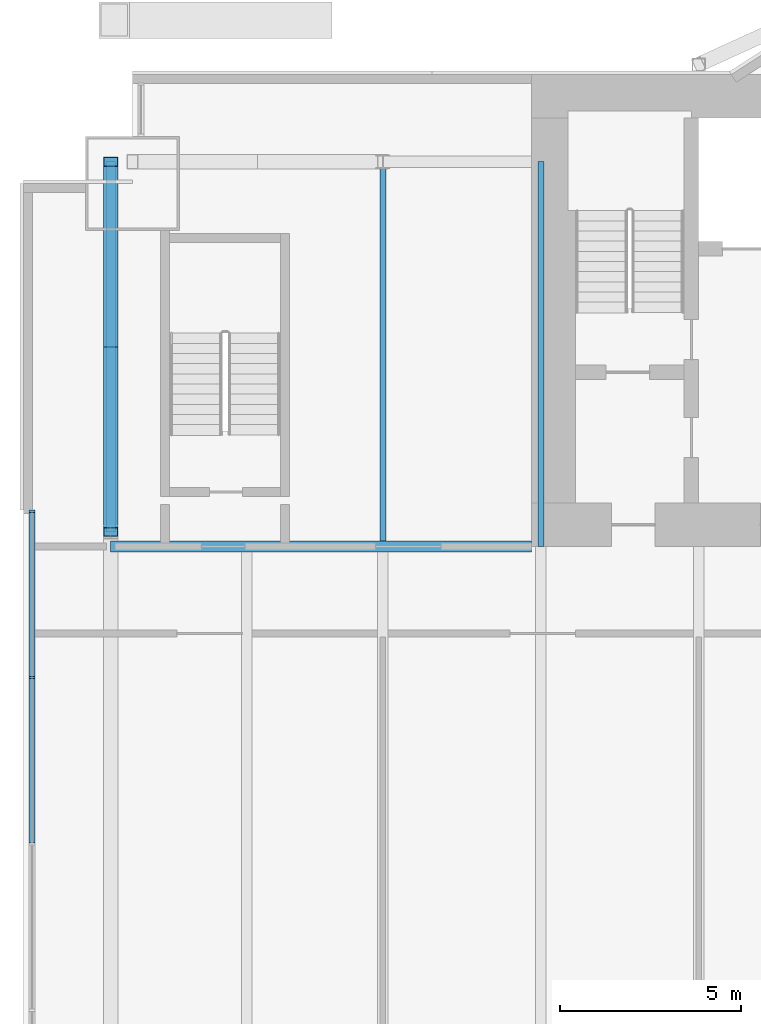
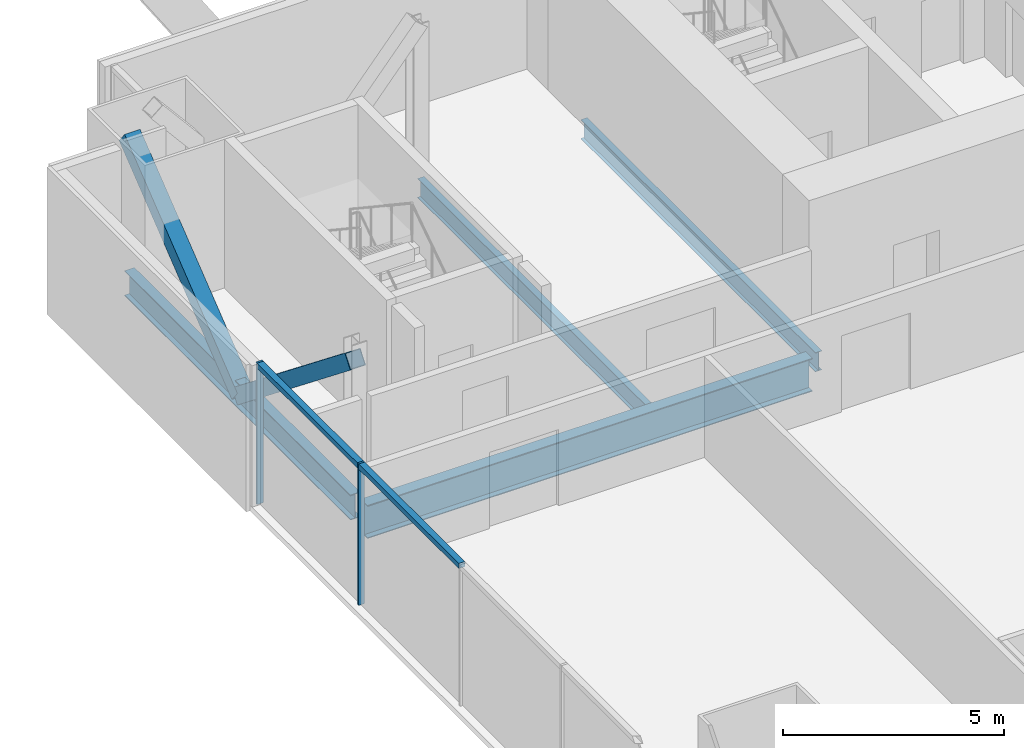
# One storey, part 7 of 21: 6 members, 4 beams, 1 element without a shape of its own.
"""IFC4 building model written with IfcOpenShell, lengths in metres."""

import ifcopenshell
import ifcopenshell.guid

model = None  # the IFC model being written
_history = None  # IfcOwnerHistory: only IFC2X3 demands one
_inside = {}  # id of a spatial element -> (the spatial element, [elements in it])
_under = {}  # id of a project, library or spatial element -> (it, [spatial elements below it])
_declared = {}  # id of a project -> (the project, [libraries it declares])
_typed = {}  # id of a type object -> (the type object, [elements of that type])
_made_of = {}  # id of a material, layer set ... -> (it, [elements and type objects made of it])


def new_model(schema):
    """Start an empty IFC model of exactly this schema.

    Asked for "IFC4X3", IfcOpenShell would pick the latest addendum, in which some entities
    have other attributes; the version numbers below select the first issue.
    IFC2X3 requires an IfcOwnerHistory on every rooted entity: one is made here for all.
    """
    global model, _history
    if schema == "IFC4X3":
        model = ifcopenshell.file(schema_version=(4, 3, 0, 0))
    else:
        model = ifcopenshell.file(schema=schema)
    _inside.clear()
    _under.clear()
    _declared.clear()
    _typed.clear()
    _made_of.clear()
    _history = None
    if model.schema == "IFC2X3":
        org = make("IfcOrganization", Name="unknown")
        user = make(
            "IfcPersonAndOrganization",
            ThePerson=make("IfcPerson", FamilyName="unknown"),
            TheOrganization=org,
        )
        app = make(
            "IfcApplication",
            ApplicationDeveloper=org,
            Version="unknown",
            ApplicationFullName="unknown",
            ApplicationIdentifier="unknown",
        )
        _history = make(
            "IfcOwnerHistory",
            OwningUser=user,
            OwningApplication=app,
            ChangeAction="ADDED",
            CreationDate=0,
        )
    return model


def make(cls, **values):
    """One entity of the class cls with the attributes given. An attribute that is None is left unset."""
    return model.create_entity(
        cls, **{name: value for name, value in values.items() if value is not None}
    )


def rooted(cls, **values):
    """An entity with a GlobalId (a new one), such as an element, a storey or a relation."""
    return make(cls, GlobalId=ifcopenshell.guid.new(), OwnerHistory=_history, **values)


def si_unit(unit_type, name, prefix=None):
    """IfcSIUnit, for example si_unit("LENGTHUNIT", "METRE", prefix="MILLI")."""
    return make("IfcSIUnit", UnitType=unit_type, Prefix=prefix, Name=name)


def assignment(units):
    """IfcUnitAssignment: the units of a project."""
    return None if units is None else make("IfcUnitAssignment", Units=units)


def point(xyz):
    """IfcCartesianPoint."""
    return None if xyz is None else make("IfcCartesianPoint", Coordinates=xyz)


def direction(xyz):
    """IfcDirection."""
    return None if xyz is None else make("IfcDirection", DirectionRatios=xyz)


def frame(location, z_axis=None, x_axis=None):
    """IfcAxis2Placement3D, a coordinate frame: its origin and axes. An axis left out is left unset."""
    return make(
        "IfcAxis2Placement3D",
        Location=point(location),
        Axis=direction(z_axis),
        RefDirection=direction(x_axis),
    )


def frame_2d(location, x_axis=None):
    """IfcAxis2Placement2D, a coordinate frame in the plane: its origin and x axis."""
    return make(
        "IfcAxis2Placement2D", Location=point(location), RefDirection=direction(x_axis)
    )


def origin():
    """The frame at (0, 0, 0) with its axes left unset."""
    return frame((0.0, 0.0, 0.0))


def origin_2d():
    """The frame at (0, 0) in the plane with its x axis left unset."""
    return frame_2d((0.0, 0.0))


def place(relative_to, where):
    """IfcLocalPlacement: puts the frame where relative to a parent placement (None: the world)."""
    return make(
        "IfcLocalPlacement", PlacementRelTo=relative_to, RelativePlacement=where
    )


def context(
    kind, dimensions, precision=None, world=None, true_north=None, identifier=None
):
    """IfcGeometricRepresentationContext, for example the 3D "Model" context."""
    return make(
        "IfcGeometricRepresentationContext",
        ContextIdentifier=identifier,
        ContextType=kind,
        CoordinateSpaceDimension=dimensions,
        Precision=precision,
        WorldCoordinateSystem=world,
        TrueNorth=true_north,
    )


def subcontext(parent, identifier, kind, view, scale=None):
    """IfcGeometricRepresentationSubContext, for example "Body" below "Model"."""
    return make(
        "IfcGeometricRepresentationSubContext",
        ContextIdentifier=identifier,
        ContextType=kind,
        ParentContext=parent,
        TargetScale=scale,
        TargetView=view,
    )


def project(units=None, contexts=None):
    """IfcProject with its units and contexts."""
    return rooted(
        "IfcProject",
        Name="project",
        RepresentationContexts=contexts,
        UnitsInContext=assignment(units),
    )


def spatial(cls, under=None, at=None, **own):
    """A site, building, storey or space (cls), placed at a placement, below another one or the project."""
    s = rooted(cls, ObjectPlacement=at, **own)
    if under is not None:
        _under.setdefault(under.id(), (under, []))[1].append(s)
    return s


def profile(cls, at=None, kind="AREA", **sizes):
    """A parametric profile (cls). Its sizes go by their IFC names, for example OverallWidth=200.0."""
    return make(cls, ProfileType=kind, Position=at, **sizes)


def rectangle(**sizes):
    """IfcRectangleProfileDef."""
    return profile("IfcRectangleProfileDef", **sizes)


def hollow_rectangle(**sizes):
    """IfcRectangleHollowProfileDef."""
    return profile("IfcRectangleHollowProfileDef", **sizes)


def i_section(**sizes):
    """IfcIShapeProfileDef."""
    return profile("IfcIShapeProfileDef", **sizes)


def extrude(swept, where, along, depth):
    """IfcExtrudedAreaSolid: the profile swept, set in the frame where, extruded along a direction by depth."""
    return make(
        "IfcExtrudedAreaSolid",
        SweptArea=swept,
        Position=where,
        ExtrudedDirection=direction(along),
        Depth=depth,
    )


def shape(context_of_items, identifier, shape_type, items):
    """IfcShapeRepresentation: the items that make up one representation, for example the "Body"."""
    return make(
        "IfcShapeRepresentation",
        ContextOfItems=context_of_items,
        RepresentationIdentifier=identifier,
        RepresentationType=shape_type,
        Items=items,
    )


def material(Name=None, Category=None):
    """IfcMaterial."""
    return make("IfcMaterial", Name=Name, Category=Category)


def material_profile(
    of_material, cross_section, Name=None, Category=None, Priority=None
):
    """IfcMaterialProfile: a cross section and its material."""
    return make(
        "IfcMaterialProfile",
        Name=Name,
        Material=of_material,
        Profile=cross_section,
        Priority=Priority,
        Category=Category,
    )


def profile_set(profiles, Name=None, composite=None):
    """IfcMaterialProfileSet."""
    return make(
        "IfcMaterialProfileSet",
        Name=Name,
        MaterialProfiles=profiles,
        CompositeProfile=composite,
    )


def made_of(thing, what):
    """Note that an element or type object is made of a material, layer set ...; save() writes the relation."""
    if what is not None:
        _made_of.setdefault(what.id(), (what, []))[1].append(thing)
    return thing


def type_object(cls, material=None, **own):
    """A type object (cls), such as IfcWallType, which elements share."""
    return made_of(rooted(cls, **own), material)


def element(
    cls,
    number,
    at=None,
    inside=None,
    cuts=None,
    type_object=None,
    material=None,
    context=None,
    identifier="Body",
    shape_type=None,
    held_by="IfcProductDefinitionShape",
    body=None,
    shapes=None,
    **own,
):
    """One element of the class cls, such as IfcWall. Its Tag is "e" and its number.

    at: its placement. inside: the storey or other place that contains it. cuts: it is an
    opening in that element (IfcRelVoidsElement). A single representation is given by context,
    identifier, shape_type and body (its items); several are given by shapes. held_by: the class
    of the entity that holds the representations. save() writes the other relations.
    """
    e = rooted(cls, Tag="e%d" % number, ObjectPlacement=at, **own)
    if body is not None:
        shapes = [shape(context, identifier, shape_type, body)]
    if shapes is not None:
        e.Representation = make(held_by, Representations=shapes)
    if inside is not None:
        _inside.setdefault(inside.id(), (inside, []))[1].append(e)
    if cuts is not None:
        rooted(
            "IfcRelVoidsElement", RelatingBuildingElement=cuts, RelatedOpeningElement=e
        )
    if type_object is not None:
        _typed.setdefault(type_object.id(), (type_object, []))[1].append(e)
    return made_of(e, material)


def aggregate(whole, parts):
    """IfcRelAggregates: a whole, such as a stair, and the parts it consists of."""
    return rooted("IfcRelAggregates", RelatingObject=whole, RelatedObjects=parts)


def save(model, path):
    """Write the relations noted so far, then the file.

    IfcRelAggregates (storeys below a building ...), IfcRelContainedInSpatialStructure (elements
    in a storey), IfcRelDefinesByType, IfcRelAssociatesMaterial and IfcRelDeclares: one each for
    every whole, place, type object, material and project.
    """
    for whole, parts in _under.values():
        aggregate(whole, parts)
    for where, things in _inside.values():
        rooted(
            "IfcRelContainedInSpatialStructure",
            RelatedElements=things,
            RelatingStructure=where,
        )
    for kind, things in _typed.values():
        rooted("IfcRelDefinesByType", RelatedObjects=things, RelatingType=kind)
    for what, things in _made_of.values():
        rooted("IfcRelAssociatesMaterial", RelatedObjects=things, RelatingMaterial=what)
    for by, libraries in _declared.values():
        rooted("IfcRelDeclares", RelatingContext=by, RelatedDefinitions=libraries)
    model.write(path)


model = new_model("IFC4")

# Units and contexts
model_context = context("Model", 3, precision=1e-05, world=origin(), true_north=direction((0.0, 1.0)))
body_context = subcontext(model_context, "Body", "Model", "MODEL_VIEW")
ifc_project = project(units=[si_unit("LENGTHUNIT", "METRE"), si_unit("AREAUNIT", "SQUARE_METRE"), si_unit("VOLUMEUNIT", "CUBIC_METRE"), si_unit("PLANEANGLEUNIT", "RADIAN"), si_unit("MASSUNIT", "GRAM", prefix="KILO")], contexts=[model_context])

# Site, building, storey
site_placement = place(None, origin())
site = spatial("IfcSite", under=ifc_project, at=site_placement, CompositionType="ELEMENT")
building_placement = place(site_placement, origin())
building = spatial("IfcBuilding", under=site, at=building_placement, Name="Bicima Exchange Tower", CompositionType="ELEMENT")
storey_placement = place(building_placement, frame((0.0, 0.0, 181.39990234375)))
storey = spatial("IfcBuildingStorey", under=building, at=storey_placement, Name="L40", CompositionType="ELEMENT", Elevation=181.39990234375)

# Beam
ifc_material_1 = material(Name="Steel ASTM A992 Gr 50", Category="steel")
ifc_material_profile_1 = material_profile(ifc_material_1, i_section(OverallWidth=0.3046875, OverallDepth=0.911865234375, WebThickness=0.015869140625, FlangeThickness=0.02392578125, at=origin_2d()))
ifc_profile_set_1 = profile_set([ifc_material_profile_1], Name="Steel ASTM A992 Gr 50")
beam_type_1 = type_object("IfcBeamType", Name="Core-line girder W36x150", PredefinedType="BEAM", material=ifc_profile_set_1)
beam_1_placement = place(storey_placement, frame((-22.0, -13.0, -0.605712890625), z_axis=(-1.0, 0.0, 0.0), x_axis=(0.0, -1.0, 0.0)))
element("IfcBeam", 1, at=beam_1_placement, inside=storey, type_object=beam_type_1, Name="Core-line girder", PredefinedType="BEAM", context=body_context, shape_type="SweptSolid", body=[
    extrude(i_section(OverallWidth=0.3046875, OverallDepth=0.911865234375, WebThickness=0.015869140625, FlangeThickness=0.02392578125, at=origin_2d()), origin(), (0.0, 0.0, 1.0), 11.60009765625),
])

# Curtain wall, members
ifc_material_2 = material(Name="Anodised bronze aluminium", Category="aluminium")
curtain_wall_type = type_object("IfcCurtainWallType", Name="End face glass wall", PredefinedType="NOTDEFINED", material=ifc_material_2)
curtain_wall_placement = place(storey_placement, origin())
curtain_wall = element("IfcCurtainWall", 2, at=curtain_wall_placement, inside=storey, type_object=curtain_wall_type, Name="End face glass wall L40 run 2", PredefinedType="NOTDEFINED")
ifc_material_profile_2 = material_profile(ifc_material_2, rectangle(XDim=0.159912109375, YDim=0.06005859375, at=origin_2d()))
ifc_profile_set_2 = profile_set([ifc_material_profile_2], Name="Anodised bronze aluminium")
member_type_1 = type_object("IfcMemberType", Name="End face glass wall mullion 60 x 160", PredefinedType="MULLION", material=ifc_profile_set_2)
member_1_placement = place(storey_placement, frame((-35.77001953125, -12.030029296875, 0.0), z_axis=(0.0, 0.0, 1.0), x_axis=(1.0, 0.0, 0.0)))
member_1 = element("IfcMember", 3, at=member_1_placement, type_object=member_type_1, Name="End face glass wall mullion 1", PredefinedType="MULLION", context=body_context, shape_type="SweptSolid", body=[
    extrude(rectangle(XDim=0.159912109375, YDim=0.06005859375, at=origin_2d()), origin(), (0.0, 0.0, 1.0), 3.900146484375),
])
member_2_placement = place(storey_placement, frame((-35.77001953125, -16.613525390625, 0.0), z_axis=(0.0, 0.0, 1.0), x_axis=(1.0, 0.0, 0.0)))
member_2 = element("IfcMember", 4, at=member_2_placement, type_object=member_type_1, Name="End face glass wall mullion 2", PredefinedType="MULLION", context=body_context, shape_type="SweptSolid", body=[
    extrude(rectangle(XDim=0.159912109375, YDim=0.06005859375, at=origin_2d()), origin(), (0.0, 0.0, 1.0), 3.900146484375),
])
ifc_material_profile_3 = material_profile(ifc_material_2, rectangle(XDim=0.159912109375, YDim=0.139892578125, at=origin_2d()))
ifc_profile_set_3 = profile_set([ifc_material_profile_3], Name="Anodised bronze aluminium")
member_type_2 = type_object("IfcMemberType", Name="End face glass wall transom 140 x 160", PredefinedType="USERDEFINED", material=ifc_profile_set_3)
member_3_placement = place(storey_placement, frame((-35.77001953125, -12.06005859375, 3.830078125), z_axis=(0.0, -1.0, 0.0), x_axis=(1.0, 0.0, 0.0)))
member_3 = element("IfcMember", 5, at=member_3_placement, type_object=member_type_2, Name="End face glass wall transom 1.1", ObjectType="TRANSOM", PredefinedType="USERDEFINED", context=body_context, shape_type="SweptSolid", body=[
    extrude(rectangle(XDim=0.159912109375, YDim=0.139892578125, at=origin_2d()), origin(), (0.0, 0.0, 1.0), 4.5234375),
])
member_4_placement = place(storey_placement, frame((-35.77001953125, -16.6435546875, 3.830078125), z_axis=(0.0, -1.0, 0.0), x_axis=(1.0, 0.0, 0.0)))
member_4 = element("IfcMember", 6, at=member_4_placement, type_object=member_type_2, Name="End face glass wall transom 2.1", ObjectType="TRANSOM", PredefinedType="USERDEFINED", context=body_context, shape_type="SweptSolid", body=[
    extrude(rectangle(XDim=0.159912109375, YDim=0.139892578125, at=origin_2d()), origin(), (0.0, 0.0, 1.0), 4.5234375),
])
aggregate(curtain_wall, [member_1, member_2, member_3, member_4])

# Beams
ifc_material_profile_4 = material_profile(ifc_material_1, i_section(OverallWidth=0.256591796875, OverallDepth=0.693359375, WebThickness=0.014404296875, FlangeThickness=0.023681640625, at=origin_2d()))
ifc_profile_set_4 = profile_set([ifc_material_profile_4], Name="Steel ASTM A992 Gr 50")
beam_type_2 = type_object("IfcBeamType", Name="End girder W27x114", PredefinedType="BEAM", material=ifc_profile_set_4)
beam_2_placement = place(storey_placement, frame((-33.60009765625, -2.39990234375, -0.49658203125), z_axis=(0.0, -1.0, 0.0), x_axis=(1.0, 0.0, 0.0)))
element("IfcBeam", 7, at=beam_2_placement, inside=storey, type_object=beam_type_2, Name="End girder", PredefinedType="BEAM", context=body_context, shape_type="SweptSolid", body=[
    extrude(i_section(OverallWidth=0.256591796875, OverallDepth=0.693359375, WebThickness=0.014404296875, FlangeThickness=0.023681640625, at=origin_2d()), origin(), (0.0, 0.0, 1.0), 10.2001953125),
])
ifc_material_profile_5 = material_profile(ifc_material_1, i_section(OverallWidth=0.165771484375, OverallDepth=0.5283203125, WebThickness=0.009765625, FlangeThickness=0.013671875, at=origin_2d()))
ifc_profile_set_5 = profile_set([ifc_material_profile_5], Name="Steel ASTM A992 Gr 50")
beam_type_3 = type_object("IfcBeamType", Name="Floor beam W21x50", PredefinedType="JOIST", material=ifc_profile_set_5)
beam_3_placement = place(storey_placement, frame((-26.10009765625, -2.5625, -0.4140625), z_axis=(0.0, -1.0, 0.0), x_axis=(1.0, 0.0, 0.0)))
element("IfcBeam", 8, at=beam_3_placement, inside=storey, type_object=beam_type_3, Name="Floor beam", PredefinedType="JOIST", context=body_context, shape_type="SweptSolid", body=[
    extrude(i_section(OverallWidth=0.165771484375, OverallDepth=0.5283203125, WebThickness=0.009765625, FlangeThickness=0.013671875, at=origin_2d()), origin(), (0.0, 0.0, 1.0), 10.28515625),
])
beam_4_placement = place(storey_placement, frame((-21.75, -2.39990234375, -0.4140625), z_axis=(0.0, -1.0, 0.0), x_axis=(1.0, 0.0, 0.0)))
element("IfcBeam", 9, at=beam_4_placement, inside=storey, type_object=beam_type_3, Name="Floor beam", PredefinedType="JOIST", context=body_context, shape_type="SweptSolid", body=[
    extrude(i_section(OverallWidth=0.165771484375, OverallDepth=0.5283203125, WebThickness=0.009765625, FlangeThickness=0.013671875, at=origin_2d()), origin(), (0.0, 0.0, 1.0), 10.60009765625),
])

# Members
ifc_material_3 = material(Name="Steel ASTM A572 Gr 50", Category="steel")
ifc_material_profile_6 = material_profile(ifc_material_3, hollow_rectangle(XDim=0.406494140625, YDim=0.406494140625, WallThickness=0.017822265625, at=origin_2d()))
ifc_profile_set_6 = profile_set([ifc_material_profile_6], Name="Steel ASTM A572 Gr 50")
member_type_3 = type_object("IfcMemberType", Name="Mega brace HSS16x16x3/4", PredefinedType="BRACE", material=ifc_profile_set_6)
for number, where, z_axis, x_axis, name in (
    (10, (-33.60009765625, -7.5, -0.49658203125), (0.0, -0.783112995316, 0.621879438932), (1.0, 0.0, 0.0), "Mega brace west end"),
    (11, (-33.60009765625, -7.5, -0.49658203125), (0.0, 0.783112995316, 0.621879438932), (-1.0, 0.0, 0.0), "Mega brace west end"),
):
    element("IfcMember", number, at=place(storey_placement, frame(where, z_axis=z_axis, x_axis=x_axis)), inside=storey, type_object=member_type_3, Name=name, PredefinedType="BRACE", context=body_context, shape_type="SweptSolid", body=[
        extrude(hollow_rectangle(XDim=0.406494140625, YDim=0.406494140625, WallThickness=0.017822265625, at=origin_2d()), origin(), (0.0, 0.0, 1.0), 6.5126953125),
    ])

save(model, "model.ifc")
